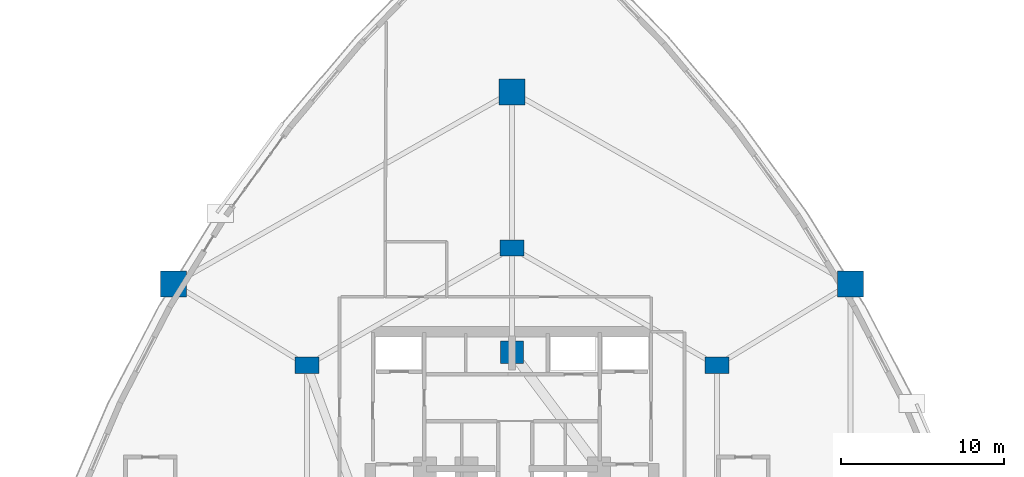
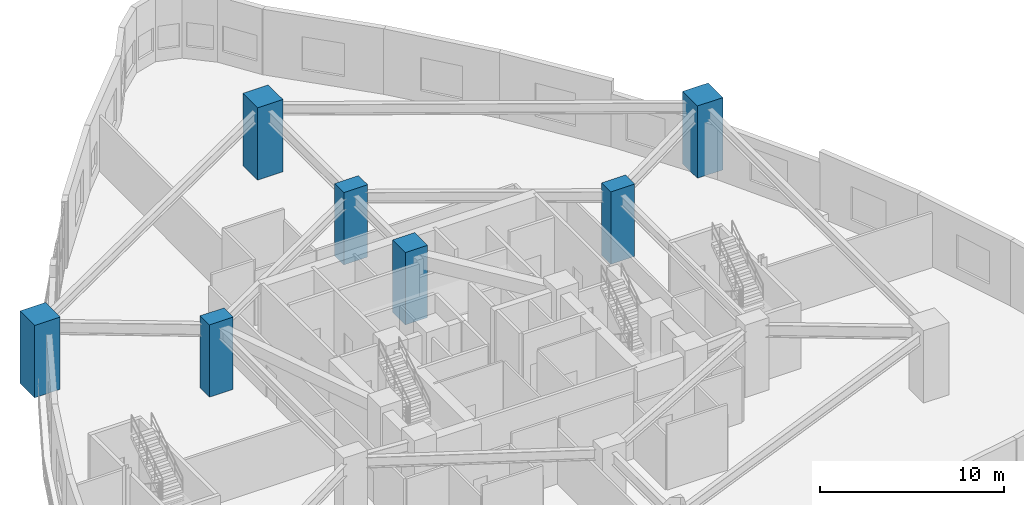
# One storey, part 3 of 19: 7 columns.
"""IFC4 building model written with IfcOpenShell, lengths in metres."""

from ifc_helpers import new_model, si_unit, direction, frame, origin, origin_2d, place, context, subcontext, project, spatial, rectangle, extrude, material, material_profile, profile_set, type_object, element, save


model = new_model("IFC4")

# Units and contexts
model_context = context("Model", 3, precision=1e-05, world=origin(), true_north=direction((0.0, 1.0)))
body_context = subcontext(model_context, "Body", "Model", "MODEL_VIEW")
ifc_project = project(units=[si_unit("LENGTHUNIT", "METRE"), si_unit("AREAUNIT", "SQUARE_METRE"), si_unit("VOLUMEUNIT", "CUBIC_METRE"), si_unit("PLANEANGLEUNIT", "RADIAN"), si_unit("MASSUNIT", "GRAM", prefix="KILO")], contexts=[model_context])

# Site, building, storey
site_placement = place(None, origin())
site = spatial("IfcSite", under=ifc_project, at=site_placement, CompositionType="ELEMENT")
building_placement = place(site_placement, origin())
building = spatial("IfcBuilding", under=site, at=building_placement, Name="Miruveldt Soraemaru", CompositionType="ELEMENT")
storey_placement = place(building_placement, frame((0.0, 0.0, 19.199951171875)))
storey = spatial("IfcBuildingStorey", under=building, at=storey_placement, Name="L05", CompositionType="ELEMENT", Elevation=19.199951171875)

# Columns
ifc_material = material(Name="Concrete C80/95 (80 MPa)", Category="concrete")
ifc_material_profile_1 = material_profile(ifc_material, rectangle(XDim=1.39990234375, YDim=1.39990234375, at=origin_2d()), Name="Concrete C80/95 (80 MPa)", Category="concrete")
ifc_profile_set_1 = profile_set([ifc_material_profile_1], Name="Concrete C80/95 (80 MPa)")
column_type_1 = type_object("IfcColumnType", Name="COL-MEGA-1400", PredefinedType="COLUMN", material=ifc_profile_set_1)
column_placement = place(storey_placement, frame((44.0, 51.199951171875, 0.0), z_axis=(0.0, 0.0, 1.0), x_axis=(1.0, 0.0, 0.0)))
element("IfcColumn", 1, at=column_placement, inside=storey, type_object=column_type_1, Name="L05 Structural Column CC6", PredefinedType="COLUMN", context=body_context, shape_type="SweptSolid", body=[
    extrude(rectangle(XDim=1.39990234375, YDim=1.39990234375, at=origin_2d()), origin(), (0.0, 0.0, 1.0), 4.800048828125),
])
ifc_material_profile_2 = material_profile(ifc_material, rectangle(XDim=1.60009765625, YDim=1.60009765625, at=origin_2d()), Name="Concrete C80/95 (80 MPa)", Category="concrete")
ifc_profile_set_2 = profile_set([ifc_material_profile_2], Name="Concrete C80/95 (80 MPa)")
column_type_2 = type_object("IfcColumnType", Name="COL-MEGA-1600", PredefinedType="COLUMN", material=ifc_profile_set_2)
for number, where, z_axis, x_axis, name in (
    (2, (44.0, 67.199951171875, 0.0), (0.0, 0.0, 1.0), (1.0, 0.0, 0.0), "L05 Structural Column PM01"),
    (3, (64.800048828125, 55.39990234375, 0.0), (0.0, 0.0, 1.0), (1.0, 0.0, 0.0), "L05 Structural Column PM02"),
    (4, (23.199951171875, 55.39990234375, 0.0), (0.0, 0.0, 1.0), (1.0, 0.0, 0.0), "L05 Structural Column PM06"),
):
    element("IfcColumn", number, at=place(storey_placement, frame(where, z_axis=z_axis, x_axis=x_axis)), inside=storey, type_object=column_type_2, Name=name, PredefinedType="COLUMN", context=body_context, shape_type="SweptSolid", body=[
        extrude(rectangle(XDim=1.60009765625, YDim=1.60009765625, at=origin_2d()), origin(), (0.0, 0.0, 1.0), 4.800048828125),
    ])
ifc_material_profile_3 = material_profile(ifc_material, rectangle(XDim=1.5, YDim=1.0, at=origin_2d()), Name="Concrete C80/95 (80 MPa)", Category="concrete")
ifc_profile_set_3 = profile_set([ifc_material_profile_3], Name="Concrete C80/95 (80 MPa)")
column_type_3 = type_object("IfcColumnType", Name="COL-TW-Z1A", PredefinedType="COLUMN", material=ifc_profile_set_3)
for number, where, z_axis, x_axis, name in (
    (5, (44.0, 57.60009765625, 0.0), (0.0, 0.0, 1.0), (1.0, 0.0, 0.0), "L05 Structural Column IR01"),
    (6, (56.60009765625, 50.39990234375, 0.0), (0.0, 0.0, 1.0), (1.0, 0.0, 0.0), "L05 Structural Column IR02"),
    (7, (31.39990234375, 50.39990234375, 0.0), (0.0, 0.0, 1.0), (1.0, 0.0, 0.0), "L05 Structural Column IR06"),
):
    element("IfcColumn", number, at=place(storey_placement, frame(where, z_axis=z_axis, x_axis=x_axis)), inside=storey, type_object=column_type_3, Name=name, PredefinedType="COLUMN", context=body_context, shape_type="SweptSolid", body=[
        extrude(rectangle(XDim=1.5, YDim=1.0, at=origin_2d()), origin(), (0.0, 0.0, 1.0), 4.800048828125),
    ])

save(model, "model.ifc")
